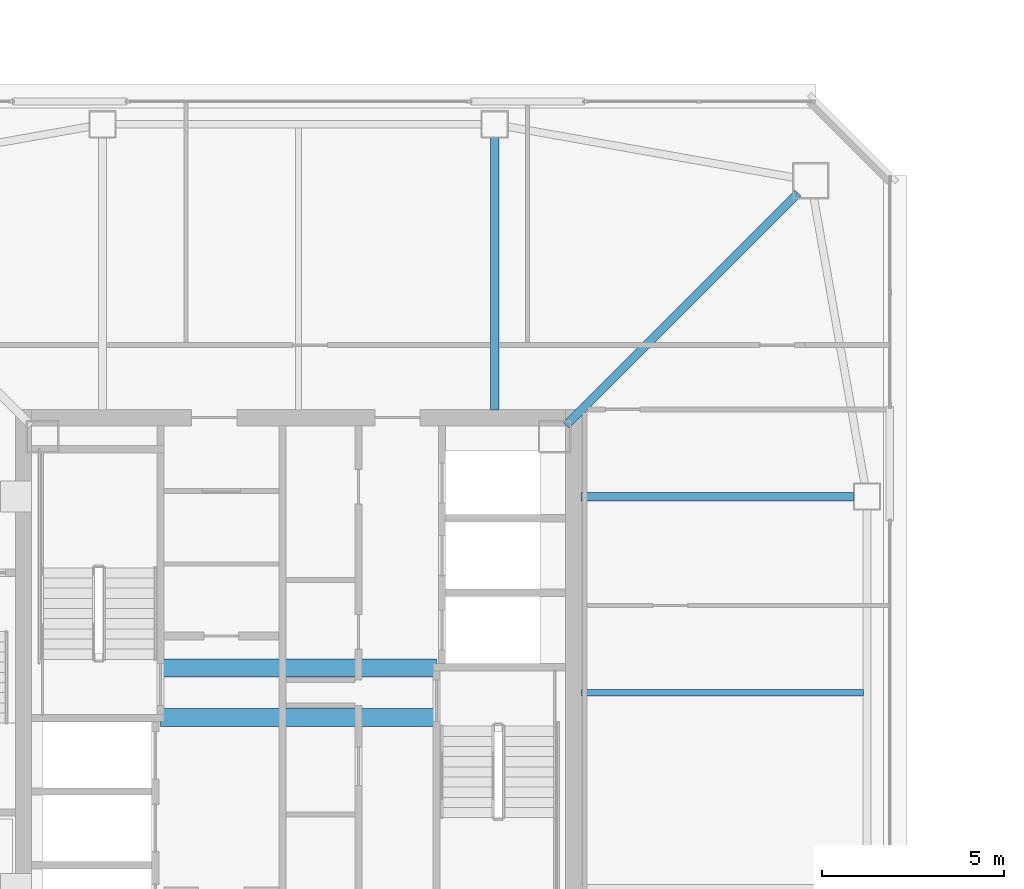
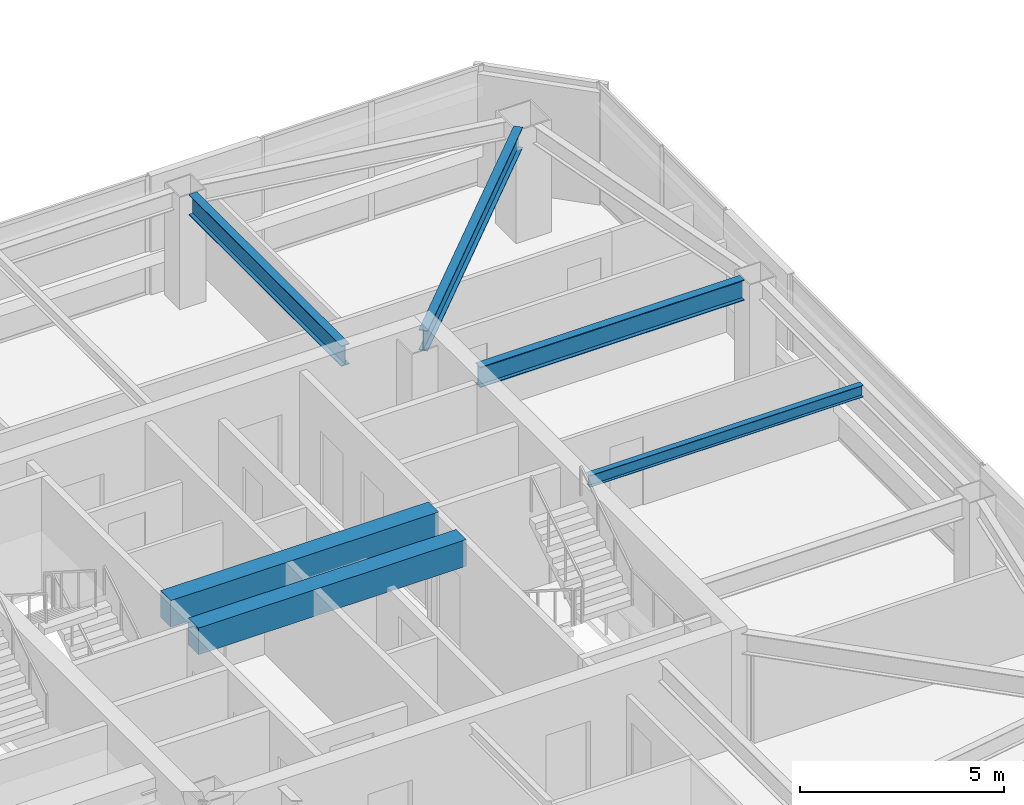
# One storey, part 8 of 39: 6 beams.
"""IFC4 building model written with IfcOpenShell, lengths in metres."""

from ifc_helpers import new_model, si_unit, direction, frame, origin, origin_2d, place, context, subcontext, project, spatial, rectangle, i_section, extrude, material, material_profile, profile_set, type_object, element, save


model = new_model("IFC4")

# Units and contexts
model_context = context("Model", 3, precision=1e-05, world=origin(), true_north=direction((0.0, 1.0)))
body_context = subcontext(model_context, "Body", "Model", "MODEL_VIEW")
ifc_project = project(units=[si_unit("LENGTHUNIT", "METRE"), si_unit("AREAUNIT", "SQUARE_METRE"), si_unit("VOLUMEUNIT", "CUBIC_METRE"), si_unit("PLANEANGLEUNIT", "RADIAN"), si_unit("MASSUNIT", "GRAM", prefix="KILO")], contexts=[model_context])

# Site, building, storey
site_placement = place(None, origin())
site = spatial("IfcSite", under=ifc_project, at=site_placement, CompositionType="ELEMENT")
building_placement = place(site_placement, origin())
building = spatial("IfcBuilding", under=site, at=building_placement, Name="Tashvorn Skyway Center", CompositionType="ELEMENT")
storey_placement = place(building_placement, frame((0.0, 0.0, 214.85009765625)))
storey = spatial("IfcBuildingStorey", under=building, at=storey_placement, Name="L58", CompositionType="ELEMENT", Elevation=214.85009765625)

# Beams
ifc_material_1 = material(Name="Steel ASTM A992 Grade 50", Category="steel")
ifc_material_profile_1 = material_profile(ifc_material_1, i_section(OverallWidth=0.22998046875, OverallDepth=0.616943359375, WebThickness=0.01318359375, FlangeThickness=0.022216796875, at=origin_2d()), Name="W24X94")
ifc_profile_set_1 = profile_set([ifc_material_profile_1], Name="Steel ASTM A992 Grade 50")
beam_type_1 = type_object("IfcBeamType", Name="BM-BEAM-W24X94", PredefinedType="BEAM", material=ifc_profile_set_1)
beam_1_placement = place(storey_placement, frame((55.75, 45.75, 3.0615234375), z_axis=(-0.707106781187, -0.707106781187, 0.0), x_axis=(0.707106781187, -0.707106781187, 0.0)))
element("IfcBeam", 1, at=beam_1_placement, inside=storey, type_object=beam_type_1, Name="Tower 1 L58 Primary Floor Girder MC-NE", PredefinedType="BEAM", context=body_context, shape_type="SweptSolid", body=[
    extrude(i_section(OverallWidth=0.22998046875, OverallDepth=0.616943359375, WebThickness=0.01318359375, FlangeThickness=0.022216796875, at=origin_2d()), origin(), (0.0, 0.0, 1.0), 9.030029296875),
])
for number, where, z_axis, x_axis, name in (
    (2, (57.280029296875, 37.39990234375, 3.0615234375), (-1.0, 0.0, 0.0), (0.0, -1.0, 0.0), "Tower 1 L58 Primary Floor Girder FC-E2"),
    (3, (47.39990234375, 47.280029296875, 3.0615234375), (0.0, -1.0, 0.0), (1.0, 0.0, 0.0), "Tower 1 L58 Primary Floor Girder FC-N1"),
):
    element("IfcBeam", number, at=place(storey_placement, frame(where, z_axis=z_axis, x_axis=x_axis)), inside=storey, type_object=beam_type_1, Name=name, PredefinedType="BEAM", context=body_context, shape_type="SweptSolid", body=[
        extrude(i_section(OverallWidth=0.22998046875, OverallDepth=0.616943359375, WebThickness=0.01318359375, FlangeThickness=0.022216796875, at=origin_2d()), origin(), (0.0, 0.0, 1.0), 7.5),
    ])
ifc_material_profile_2 = material_profile(ifc_material_1, i_section(OverallWidth=0.1708984375, OverallDepth=0.35498046875, WebThickness=0.007080078125, FlangeThickness=0.01171875, at=origin_2d()), Name="W14X34")
ifc_profile_set_2 = profile_set([ifc_material_profile_2], Name="Steel ASTM A992 Grade 50")
beam_type_2 = type_object("IfcBeamType", Name="BM-JOIST-W14X34", PredefinedType="JOIST", material=ifc_profile_set_2)
beam_2_placement = place(storey_placement, frame((49.7900390625, 32.0, 3.1923828125), z_axis=(1.0, 0.0, 0.0), x_axis=(0.0, 1.0, 0.0)))
element("IfcBeam", 4, at=beam_2_placement, inside=storey, type_object=beam_type_2, Name="Tower 1 L58 Secondary Composite Joist JE", PredefinedType="JOIST", context=body_context, shape_type="SweptSolid", body=[
    extrude(i_section(OverallWidth=0.1708984375, OverallDepth=0.35498046875, WebThickness=0.007080078125, FlangeThickness=0.01171875, at=origin_2d()), origin(), (0.0, 0.0, 1.0), 7.762451171875),
])
ifc_material_2 = material(Name="Concrete C50/60", Category="concrete")
ifc_material_profile_3 = material_profile(ifc_material_2, rectangle(XDim=0.5, YDim=0.800048828125, at=origin_2d()), Name="RCB500x800")
ifc_profile_set_3 = profile_set([ifc_material_profile_3], Name="Concrete C50/60")
beam_type_3 = type_object("IfcBeamType", Name="BM-LINTEL-RCB500x800", PredefinedType="LINTEL", material=ifc_profile_set_3)
for number, where, z_axis, x_axis, name in (
    (5, (38.199951171875, 32.679931640625, 2.969970703125), (1.0, 0.0, 0.0), (0.0, 1.0, 0.0), "Tower 1 L58 Core Coupling Beam CN"),
    (6, (38.199951171875, 31.320068359375, 2.969970703125), (1.0, 0.0, 0.0), (0.0, 1.0, 0.0), "Tower 1 L58 Core Coupling Beam CS"),
):
    element("IfcBeam", number, at=place(storey_placement, frame(where, z_axis=z_axis, x_axis=x_axis)), inside=storey, type_object=beam_type_3, Name=name, PredefinedType="LINTEL", context=body_context, shape_type="SweptSolid", body=[
        extrude(rectangle(XDim=0.5, YDim=0.800048828125, at=origin_2d()), origin(), (0.0, 0.0, 1.0), 7.60009765625),
    ])

save(model, "model.ifc")
